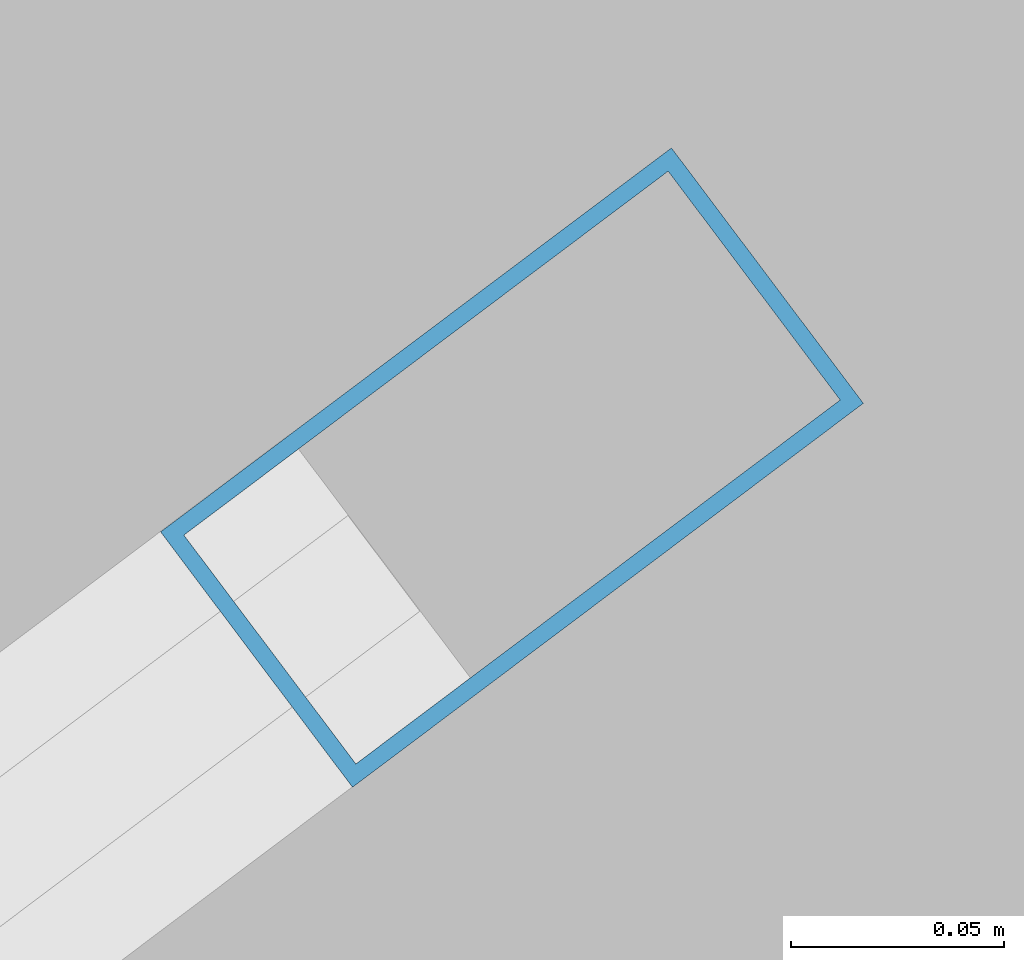
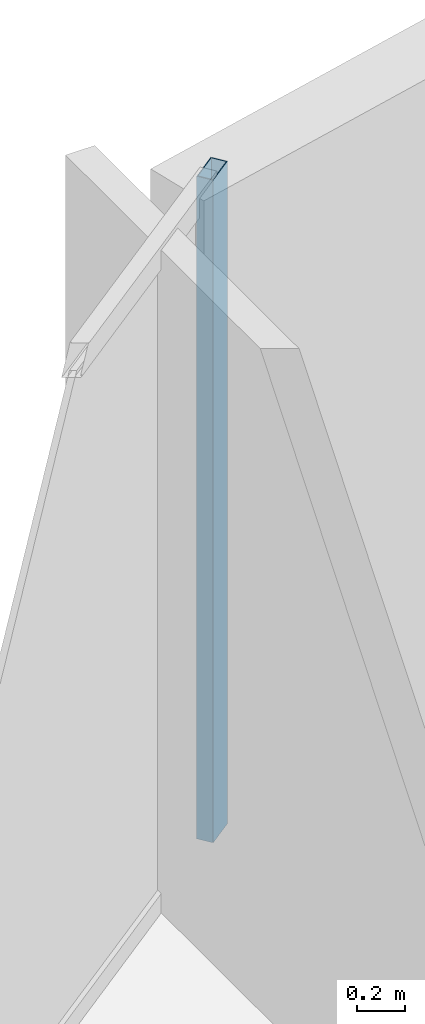
# One storey, part 18 of 31: 1 member, 1 element without a shape of its own.
"""IFC4 building model written with IfcOpenShell, lengths in metres."""

from ifc_helpers import new_model, si_unit, direction, frame, origin, origin_2d, place, context, subcontext, project, spatial, hollow_rectangle, extrude, material, layer, layer_set, material_profile, profile_set, type_object, element, aggregate, save


model = new_model("IFC4")

# Units and contexts
model_context = context("Model", 3, precision=1e-05, world=origin(), true_north=direction((0.0, 1.0)))
body_context = subcontext(model_context, "Body", "Model", "MODEL_VIEW")
ifc_project = project(units=[si_unit("LENGTHUNIT", "METRE"), si_unit("AREAUNIT", "SQUARE_METRE"), si_unit("VOLUMEUNIT", "CUBIC_METRE"), si_unit("PLANEANGLEUNIT", "RADIAN"), si_unit("MASSUNIT", "GRAM", prefix="KILO")], contexts=[model_context])

# Site, building, storey
site_placement = place(None, origin())
site = spatial("IfcSite", under=ifc_project, at=site_placement, CompositionType="ELEMENT")
building_placement = place(site_placement, origin())
building = spatial("IfcBuilding", under=site, at=building_placement, Name="Kazevale Care Tower and Concert Hall", CompositionType="ELEMENT")
storey_placement = place(building_placement, frame((0.0, 0.0, 117.0)))
storey = spatial("IfcBuildingStorey", under=building, at=storey_placement, Name="L30", CompositionType="ELEMENT", Elevation=117.0)

# Curtain wall, member
ifc_material_1 = material(Name="Aluminium 6063-T6 and Low-E Glass", Category="aluminium")
ifc_layer = layer(ifc_material_1, 0.179931640625)
ifc_layer_set = layer_set([ifc_layer], Name="Aluminium 6063-T6 and Low-E Glass")
curtain_wall_type = type_object("IfcCurtainWallType", Name="Convex Recessed Sunroom Curtain Wall CW-3", PredefinedType="NOTDEFINED", material=ifc_layer_set)
curtain_wall_placement = place(storey_placement, origin())
curtain_wall = element("IfcCurtainWall", 1, at=curtain_wall_placement, inside=storey, type_object=curtain_wall_type, Name="cw:L30:f14", PredefinedType="NOTDEFINED")
ifc_material_2 = material(Name="Aluminium 6063-T6", Category="aluminium")
ifc_material_profile = material_profile(ifc_material_2, hollow_rectangle(XDim=0.074951171875, YDim=0.14990234375, WallThickness=0.00390625, at=origin_2d()), Name="ALU75x150x4")
ifc_profile_set = profile_set([ifc_material_profile], Name="Aluminium 6063-T6")
member_type = type_object("IfcMemberType", Name="CW-3 Mullion ALU75x150x4", PredefinedType="MULLION", material=ifc_profile_set)
member_placement = place(storey_placement, frame((29.157958984375, 59.136474609375, 0.0), z_axis=(0.0, 0.0, 1.0), x_axis=(-0.600797902474, 0.799400950952, 0.0)))
member = element("IfcMember", 2, at=member_placement, type_object=member_type, Name="CW-3 mullion 2", PredefinedType="MULLION", context=body_context, shape_type="SweptSolid", body=[
    extrude(hollow_rectangle(XDim=0.074951171875, YDim=0.14990234375, WallThickness=0.00390625, at=origin_2d()), origin(), (0.0, 0.0, 1.0), 3.360107421875),
])
aggregate(curtain_wall, [member])

save(model, "model.ifc")
